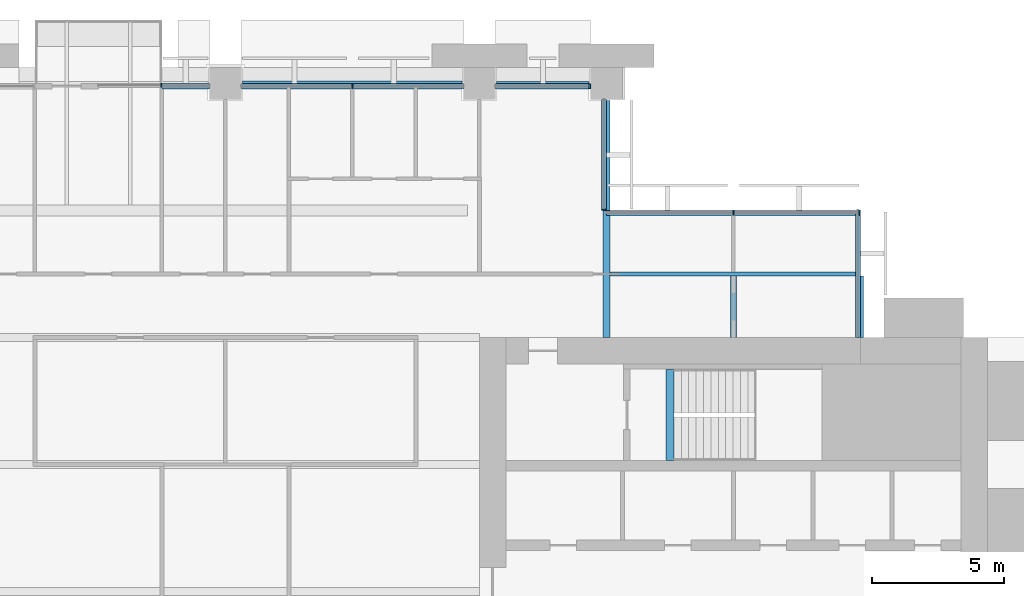
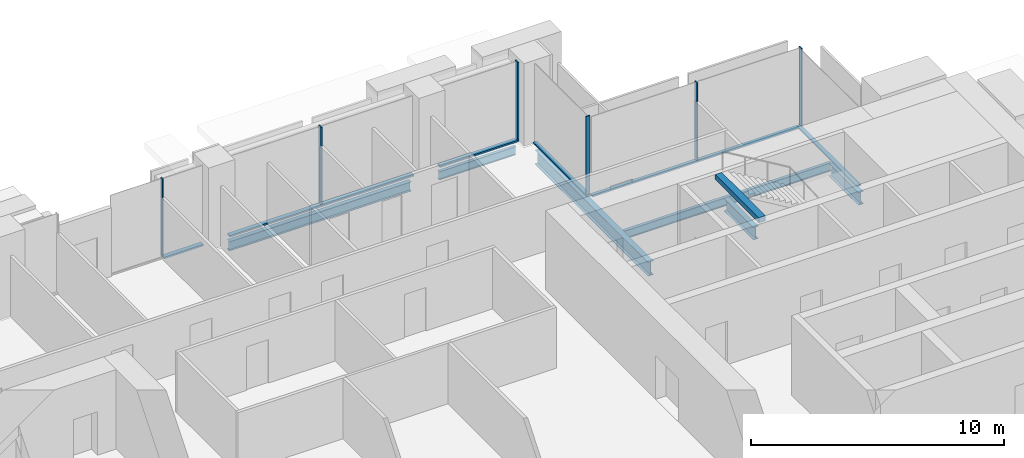
# One storey, part 7 of 15: 12 members, 7 beams, 5 elements without a shape of their own.
"""IFC4 building model written with IfcOpenShell, lengths in metres."""

from ifc_helpers import new_model, si_unit, direction, frame, origin, origin_2d, place, context, subcontext, project, spatial, rectangle, i_section, extrude, material, material_profile, profile_set, type_object, element, aggregate, save


model = new_model("IFC4")

# Units and contexts
model_context = context("Model", 3, precision=1e-05, world=origin(), true_north=direction((0.0, 1.0)))
body_context = subcontext(model_context, "Body", "Model", "MODEL_VIEW")
ifc_project = project(units=[si_unit("LENGTHUNIT", "METRE"), si_unit("AREAUNIT", "SQUARE_METRE"), si_unit("VOLUMEUNIT", "CUBIC_METRE"), si_unit("PLANEANGLEUNIT", "RADIAN"), si_unit("MASSUNIT", "GRAM", prefix="KILO")], contexts=[model_context])

# Site, building, storey
site_placement = place(None, origin())
site = spatial("IfcSite", under=ifc_project, at=site_placement, CompositionType="ELEMENT")
building_placement = place(site_placement, origin())
building = spatial("IfcBuilding", under=site, at=building_placement, Name="Baori Bourse Tower", CompositionType="ELEMENT")
storey_placement = place(building_placement, frame((0.0, 0.0, 104.10009765625)))
storey = spatial("IfcBuildingStorey", under=building, at=storey_placement, Name="L21", CompositionType="ELEMENT", Elevation=104.10009765625)

# Curtain wall, members
ifc_material_1 = material(Name="Pale anodised aluminium", Category="aluminium")
curtain_wall_type_1 = type_object("IfcCurtainWallType", Name="CW1 Curtain wall", PredefinedType="NOTDEFINED", material=ifc_material_1)
curtain_wall_1_placement = place(storey_placement, origin())
curtain_wall_1 = element("IfcCurtainWall", 1, at=curtain_wall_1_placement, inside=storey, type_object=curtain_wall_type_1, Name="Curtain wall CW1 L21 4", PredefinedType="NOTDEFINED")
ifc_material_2 = material(Name="Pale anodised aluminium", Category="aluminium")
ifc_material_profile_1 = material_profile(ifc_material_2, rectangle(XDim=0.199951171875, YDim=0.06005859375, at=origin_2d()), Name="Mullion 60x200")
ifc_profile_set_1 = profile_set([ifc_material_profile_1], Name="Pale anodised aluminium")
member_type_1 = type_object("IfcMemberType", Name="CW1 Curtain wall mullion", PredefinedType="MULLION", material=ifc_profile_set_1)
member_1_placement = place(storey_placement, frame((42.570068359375, 47.89990234375, 0.079833984375), z_axis=(0.0, 0.0, 1.0), x_axis=(0.0, -1.0, 0.0)))
member_1 = element("IfcMember", 2, at=member_1_placement, type_object=member_type_1, Name="Curtain wall CW1 mullion", PredefinedType="MULLION", context=body_context, shape_type="SweptSolid", body=[
    extrude(rectangle(XDim=0.199951171875, YDim=0.06005859375, at=origin_2d()), origin(), (0.0, 0.0, 1.0), 3.760009765625),
])
member_2_placement = place(storey_placement, frame((33.60009765625, 47.89990234375, 0.079833984375), z_axis=(0.0, 0.0, 1.0), x_axis=(0.0, -1.0, 0.0)))
member_2 = element("IfcMember", 3, at=member_2_placement, type_object=member_type_1, Name="Curtain wall CW1 mullion", PredefinedType="MULLION", context=body_context, shape_type="SweptSolid", body=[
    extrude(rectangle(XDim=0.199951171875, YDim=0.06005859375, at=origin_2d()), origin(), (0.0, 0.0, 1.0), 3.760009765625),
])
ifc_material_3 = material(Name="Pale anodised aluminium", Category="aluminium")
ifc_material_profile_2 = material_profile(ifc_material_3, rectangle(XDim=0.199951171875, YDim=0.080078125, at=origin_2d()), Name="Transom 80x200")
ifc_profile_set_2 = profile_set([ifc_material_profile_2], Name="Pale anodised aluminium")
member_type_2 = type_object("IfcMemberType", Name="CW1 Curtain wall transom", PredefinedType="USERDEFINED", material=ifc_profile_set_2)
member_3_placement = place(storey_placement, frame((42.60009765625, 47.89990234375, 0.039794921875), z_axis=(-1.0, 0.0, 0.0), x_axis=(0.0, -1.0, 0.0)))
member_3 = element("IfcMember", 4, at=member_3_placement, type_object=member_type_2, Name="Curtain wall CW1 sill rail", ObjectType="TRANSOM", PredefinedType="USERDEFINED", context=body_context, shape_type="SweptSolid", body=[
    extrude(rectangle(XDim=0.199951171875, YDim=0.080078125, at=origin_2d()), origin(), (0.0, 0.0, 1.0), 3.60009765625),
])
member_4_placement = place(storey_placement, frame((37.800048828125, 47.89990234375, 0.039794921875), z_axis=(-1.0, 0.0, 0.0), x_axis=(0.0, -1.0, 0.0)))
member_4 = element("IfcMember", 5, at=member_4_placement, type_object=member_type_2, Name="Curtain wall CW1 sill rail", ObjectType="TRANSOM", PredefinedType="USERDEFINED", context=body_context, shape_type="SweptSolid", body=[
    extrude(rectangle(XDim=0.199951171875, YDim=0.080078125, at=origin_2d()), origin(), (0.0, 0.0, 1.0), 8.400146484375),
])
member_5_placement = place(storey_placement, frame((28.199951171875, 47.89990234375, 0.039794921875), z_axis=(-1.0, 0.0, 0.0), x_axis=(0.0, -1.0, 0.0)))
member_5 = element("IfcMember", 6, at=member_5_placement, type_object=member_type_2, Name="Curtain wall CW1 sill rail", ObjectType="TRANSOM", PredefinedType="USERDEFINED", context=body_context, shape_type="SweptSolid", body=[
    extrude(rectangle(XDim=0.199951171875, YDim=0.080078125, at=origin_2d()), origin(), (0.0, 0.0, 1.0), 1.800048828125),
])
aggregate(curtain_wall_1, [member_3, member_1, member_4, member_2, member_5])

ifc_material_4 = material(Name="Pale anodised aluminium", Category="aluminium")
curtain_wall_type_2 = type_object("IfcCurtainWallType", Name="CW2 Curtain wall", PredefinedType="NOTDEFINED", material=ifc_material_4)
curtain_wall_2_placement = place(storey_placement, origin())
curtain_wall_2 = element("IfcCurtainWall", 7, at=curtain_wall_2_placement, inside=storey, type_object=curtain_wall_type_2, Name="Curtain wall CW2 L21 2", PredefinedType="NOTDEFINED")
ifc_material_5 = material(Name="Pale anodised aluminium", Category="aluminium")
ifc_material_profile_3 = material_profile(ifc_material_5, rectangle(XDim=0.179931640625, YDim=0.054931640625, at=origin_2d()), Name="Mullion 55x180")
ifc_profile_set_3 = profile_set([ifc_material_profile_3], Name="Pale anodised aluminium")
member_type_3 = type_object("IfcMemberType", Name="CW2 Curtain wall mullion", PredefinedType="MULLION", material=ifc_profile_set_3)
member_6_placement = place(storey_placement, frame((52.7724609375, 43.110107421875, 0.06982421875), z_axis=(0.0, 0.0, 1.0), x_axis=(0.0, -1.0, 0.0)))
member_6 = element("IfcMember", 8, at=member_6_placement, type_object=member_type_3, Name="Curtain wall CW2 mullion", PredefinedType="MULLION", context=body_context, shape_type="SweptSolid", body=[
    extrude(rectangle(XDim=0.179931640625, YDim=0.054931640625, at=origin_2d()), origin(), (0.0, 0.0, 1.0), 3.77001953125),
])
member_7_placement = place(storey_placement, frame((48.0, 43.110107421875, 0.06982421875), z_axis=(0.0, 0.0, 1.0), x_axis=(0.0, -1.0, 0.0)))
member_7 = element("IfcMember", 9, at=member_7_placement, type_object=member_type_3, Name="Curtain wall CW2 mullion", PredefinedType="MULLION", context=body_context, shape_type="SweptSolid", body=[
    extrude(rectangle(XDim=0.179931640625, YDim=0.054931640625, at=origin_2d()), origin(), (0.0, 0.0, 1.0), 3.77001953125),
])

# Curtain wall, member
curtain_wall_3_placement = place(storey_placement, origin())
curtain_wall_3 = element("IfcCurtainWall", 10, at=curtain_wall_3_placement, inside=storey, type_object=curtain_wall_type_2, Name="Curtain wall CW2 L21 3", PredefinedType="NOTDEFINED")
member_8_placement = place(storey_placement, frame((43.110107421875, 43.2275390625, 0.06982421875), z_axis=(0.0, 0.0, 1.0), x_axis=(-1.0, 0.0, 0.0)))
member_8 = element("IfcMember", 11, at=member_8_placement, type_object=member_type_3, Name="Curtain wall CW2 mullion", PredefinedType="MULLION", context=body_context, shape_type="SweptSolid", body=[
    extrude(rectangle(XDim=0.179931640625, YDim=0.054931640625, at=origin_2d()), origin(), (0.0, 0.0, 1.0), 3.77001953125),
])

curtain_wall_4_placement = place(storey_placement, origin())
curtain_wall_4 = element("IfcCurtainWall", 12, at=curtain_wall_4_placement, inside=storey, type_object=curtain_wall_type_2, Name="Curtain wall CW2 L21 1", PredefinedType="NOTDEFINED")
ifc_material_6 = material(Name="Pale anodised aluminium", Category="aluminium")
ifc_material_profile_4 = material_profile(ifc_material_6, rectangle(XDim=0.179931640625, YDim=0.070068359375, at=origin_2d()), Name="Transom 70x180")
ifc_profile_set_4 = profile_set([ifc_material_profile_4], Name="Pale anodised aluminium")
member_type_4 = type_object("IfcMemberType", Name="CW2 Curtain wall transom", PredefinedType="USERDEFINED", material=ifc_profile_set_4)
member_9_placement = place(storey_placement, frame((52.7099609375, 38.39990234375, 0.034912109375), z_axis=(0.0, 1.0, 0.0), x_axis=(-1.0, 0.0, 0.0)))
member_9 = element("IfcMember", 13, at=member_9_placement, type_object=member_type_4, Name="Curtain wall CW2 sill rail", ObjectType="TRANSOM", PredefinedType="USERDEFINED", context=body_context, shape_type="SweptSolid", body=[
    extrude(rectangle(XDim=0.179931640625, YDim=0.070068359375, at=origin_2d()), origin(), (0.0, 0.0, 1.0), 4.800048828125),
])
aggregate(curtain_wall_4, [member_9])

# Member
member_10_placement = place(storey_placement, frame((52.800048828125, 43.110107421875, 0.034912109375), z_axis=(-1.0, 0.0, 0.0), x_axis=(0.0, -1.0, 0.0)))
member_10 = element("IfcMember", 14, at=member_10_placement, type_object=member_type_4, Name="Curtain wall CW2 sill rail", ObjectType="TRANSOM", PredefinedType="USERDEFINED", context=body_context, shape_type="SweptSolid", body=[
    extrude(rectangle(XDim=0.179931640625, YDim=0.070068359375, at=origin_2d()), origin(), (0.0, 0.0, 1.0), 9.60009765625),
])

aggregate(curtain_wall_2, [member_10, member_6, member_7])

member_11_placement = place(storey_placement, frame((43.110107421875, 43.199951171875, 0.034912109375), z_axis=(0.0, 1.0, 0.0), x_axis=(-1.0, 0.0, 0.0)))
member_11 = element("IfcMember", 15, at=member_11_placement, type_object=member_type_4, Name="Curtain wall CW2 sill rail", ObjectType="TRANSOM", PredefinedType="USERDEFINED", context=body_context, shape_type="SweptSolid", body=[
    extrude(rectangle(XDim=0.179931640625, YDim=0.070068359375, at=origin_2d()), origin(), (0.0, 0.0, 1.0), 4.199951171875),
])

aggregate(curtain_wall_3, [member_11, member_8])

# Curtain wall, member
ifc_material_7 = material(Name="Pale anodised aluminium", Category="aluminium")
curtain_wall_type_3 = type_object("IfcCurtainWallType", Name="CW6 Curtain wall", PredefinedType="NOTDEFINED", material=ifc_material_7)
curtain_wall_5_placement = place(storey_placement, origin())
curtain_wall_5 = element("IfcCurtainWall", 16, at=curtain_wall_5_placement, inside=storey, type_object=curtain_wall_type_3, Name="Curtain wall CW6 L21 5", PredefinedType="NOTDEFINED")
ifc_material_8 = material(Name="Pale anodised aluminium", Category="aluminium")
ifc_material_profile_5 = material_profile(ifc_material_8, rectangle(XDim=0.14990234375, YDim=0.050048828125, at=origin_2d()), Name="Mullion 50x150")
ifc_profile_set_5 = profile_set([ifc_material_profile_5], Name="Pale anodised aluminium")
member_type_5 = type_object("IfcMemberType", Name="CW6 Curtain wall mullion", PredefinedType="MULLION", material=ifc_profile_set_5)
member_12_placement = place(storey_placement, frame((26.375, 47.925048828125, 0.06494140625), z_axis=(0.0, 0.0, 1.0), x_axis=(0.0, -1.0, 0.0)))
member_12 = element("IfcMember", 17, at=member_12_placement, type_object=member_type_5, Name="Curtain wall CW6 mullion", PredefinedType="MULLION", context=body_context, shape_type="SweptSolid", body=[
    extrude(rectangle(XDim=0.14990234375, YDim=0.050048828125, at=origin_2d()), origin(), (0.0, 0.0, 1.0), 3.77490234375),
])
aggregate(curtain_wall_5, [member_12])

# Beams
ifc_material_9 = material(Name="Steel A992 Gr 50", Category="steel")
ifc_material_profile_6 = material_profile(ifc_material_9, i_section(OverallWidth=0.22900390625, OverallDepth=0.612060546875, WebThickness=0.011962890625, FlangeThickness=0.01953125, at=origin_2d()), Name="W24x84")
ifc_profile_set_6 = profile_set([ifc_material_profile_6], Name="Steel A992 Gr 50")
beam_type_1 = type_object("IfcBeamType", Name="Core bracket W24x84", PredefinedType="BEAM", material=ifc_profile_set_6)
for number, where, z_axis, x_axis, name in (
    (18, (48.0, 38.39990234375, -0.606201171875), (0.0, 1.0, 0.0), (-1.0, 0.0, 0.0), "Core bracket L21"),
    (19, (52.800048828125, 38.39990234375, -0.606201171875), (0.0, 1.0, 0.0), (-1.0, 0.0, 0.0), "Core bracket L21"),
):
    element("IfcBeam", number, at=place(storey_placement, frame(where, z_axis=z_axis, x_axis=x_axis)), inside=storey, type_object=beam_type_1, Name=name, PredefinedType="BEAM", context=body_context, shape_type="SweptSolid", body=[
        extrude(i_section(OverallWidth=0.22900390625, OverallDepth=0.612060546875, WebThickness=0.011962890625, FlangeThickness=0.01953125, at=origin_2d()), origin(), (0.0, 0.0, 1.0), 2.329833984375),
    ])
ifc_material_10 = material(Name="Steel A992 Gr 50", Category="steel")
ifc_material_profile_7 = material_profile(ifc_material_10, i_section(OverallWidth=0.140380859375, OverallDepth=0.40380859375, WebThickness=0.007080078125, FlangeThickness=0.01123046875, at=origin_2d()), Name="W16x31")
ifc_profile_set_7 = profile_set([ifc_material_profile_7], Name="Steel A992 Gr 50")
beam_type_2 = type_object("IfcBeamType", Name="Edge beam W16x31", PredefinedType="BEAM", material=ifc_profile_set_7)
beam_1_placement = place(storey_placement, frame((39.050048828125, 48.0, -0.501953125), z_axis=(1.0, 0.0, 0.0), x_axis=(0.0, 1.0, 0.0)))
element("IfcBeam", 20, at=beam_1_placement, inside=storey, type_object=beam_type_2, Name="Edge beam L21", PredefinedType="BEAM", context=body_context, shape_type="SweptSolid", body=[
    extrude(i_section(OverallWidth=0.140380859375, OverallDepth=0.40380859375, WebThickness=0.007080078125, FlangeThickness=0.01123046875, at=origin_2d()), origin(), (0.0, 0.0, 1.0), 3.5),
])
ifc_material_11 = material(Name="Steel A992 Gr 50", Category="steel")
ifc_material_profile_8 = material_profile(ifc_material_11, i_section(OverallWidth=0.1904296875, OverallDepth=0.457275390625, WebThickness=0.009033203125, FlangeThickness=0.014404296875, at=origin_2d()), Name="W18x50")
ifc_profile_set_8 = profile_set([ifc_material_profile_8], Name="Steel A992 Gr 50")
beam_type_3 = type_object("IfcBeamType", Name="Edge beam W18x50", PredefinedType="BEAM", material=ifc_profile_set_8)
beam_2_placement = place(storey_placement, frame((29.449951171875, 48.0, -0.52880859375), z_axis=(1.0, 0.0, 0.0), x_axis=(0.0, 1.0, 0.0)))
element("IfcBeam", 21, at=beam_2_placement, inside=storey, type_object=beam_type_3, Name="Edge beam L21", PredefinedType="BEAM", context=body_context, shape_type="SweptSolid", body=[
    extrude(i_section(OverallWidth=0.1904296875, OverallDepth=0.457275390625, WebThickness=0.009033203125, FlangeThickness=0.014404296875, at=origin_2d()), origin(), (0.0, 0.0, 1.0), 8.300048828125),
])
ifc_material_12 = material(Name="Steel A992 Gr 50", Category="steel")
ifc_material_profile_9 = material_profile(ifc_material_12, i_section(OverallWidth=0.25390625, OverallDepth=0.67822265625, WebThickness=0.01171875, FlangeThickness=0.016357421875, at=origin_2d()), Name="W27x84")
ifc_profile_set_9 = profile_set([ifc_material_profile_9], Name="Steel A992 Gr 50")
beam_type_4 = type_object("IfcBeamType", Name="Floor beam W27x84", PredefinedType="BEAM", material=ifc_profile_set_9)
beam_3_placement = place(storey_placement, frame((43.199951171875, 38.39990234375, -0.63916015625), z_axis=(0.0, 1.0, 0.0), x_axis=(-1.0, 0.0, 0.0)))
element("IfcBeam", 22, at=beam_3_placement, inside=storey, type_object=beam_type_4, Name="Floor beam L21", PredefinedType="BEAM", context=body_context, shape_type="SweptSolid", body=[
    extrude(i_section(OverallWidth=0.25390625, OverallDepth=0.67822265625, WebThickness=0.01171875, FlangeThickness=0.016357421875, at=origin_2d()), origin(), (0.0, 0.0, 1.0), 8.9501953125),
])
ifc_material_13 = material(Name="Concrete f'c 50 MPa", Category="concrete")
ifc_material_profile_10 = material_profile(ifc_material_13, rectangle(XDim=0.300048828125, YDim=0.25, at=origin_2d()), Name="RC 300x250")
ifc_profile_set_10 = profile_set([ifc_material_profile_10], Name="Concrete f'c 50 MPa")
beam_type_5 = type_object("IfcBeamType", Name="Stair nib beam RC 300x250", PredefinedType="BEAM", material=ifc_profile_set_10)
beam_4_placement = place(storey_placement, frame((45.60009765625, 33.75, 3.71484375), z_axis=(0.0, 1.0, 0.0), x_axis=(-1.0, 0.0, 0.0)))
element("IfcBeam", 23, at=beam_4_placement, inside=storey, type_object=beam_type_5, Name="Stair EB nib beam L22", PredefinedType="BEAM", context=body_context, shape_type="SweptSolid", body=[
    extrude(rectangle(XDim=0.300048828125, YDim=0.25, at=origin_2d()), origin(), (0.0, 0.0, 1.0), 3.449951171875),
])
ifc_material_14 = material(Name="Steel A992 Gr 50", Category="steel")
ifc_material_profile_11 = material_profile(ifc_material_14, i_section(OverallWidth=0.140380859375, OverallDepth=0.40380859375, WebThickness=0.007080078125, FlangeThickness=0.01123046875, at=origin_2d()), Name="W16x31")
ifc_profile_set_11 = profile_set([ifc_material_profile_11], Name="Steel A992 Gr 50")
beam_type_6 = type_object("IfcBeamType", Name="Trimmer beam W16x31", PredefinedType="BEAM", material=ifc_profile_set_11)
beam_5_placement = place(storey_placement, frame((43.326904296875, 40.800048828125, -0.501953125), z_axis=(1.0, 0.0, 0.0), x_axis=(0.0, 1.0, 0.0)))
element("IfcBeam", 24, at=beam_5_placement, inside=storey, type_object=beam_type_6, Name="Trimmer beam L21", PredefinedType="BEAM", context=body_context, shape_type="SweptSolid", body=[
    extrude(i_section(OverallWidth=0.140380859375, OverallDepth=0.40380859375, WebThickness=0.007080078125, FlangeThickness=0.01123046875, at=origin_2d()), origin(), (0.0, 0.0, 1.0), 9.47314453125),
])

save(model, "model.ifc")
